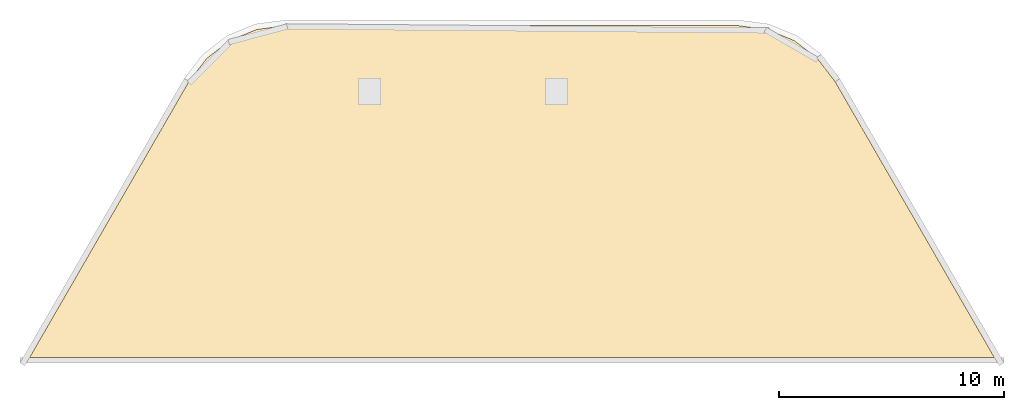
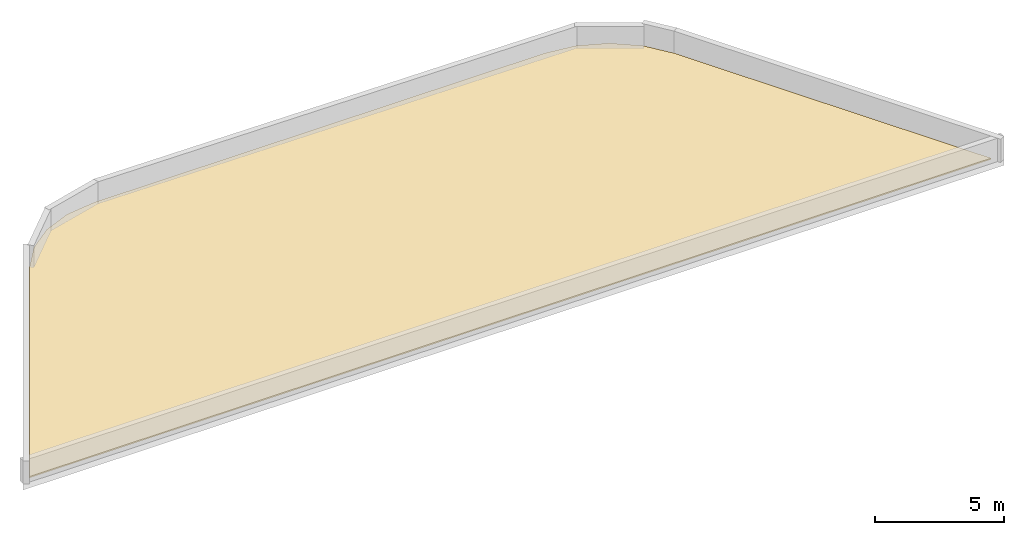
# One storey, part 2 of 2: 1 covering.
"""IFC4 building model written with IfcOpenShell, lengths in metres."""

import ifcopenshell
import ifcopenshell.guid

model = None  # the IFC model being written
_history = None  # IfcOwnerHistory: only IFC2X3 demands one
_inside = {}  # id of a spatial element -> (the spatial element, [elements in it])
_under = {}  # id of a project, library or spatial element -> (it, [spatial elements below it])
_declared = {}  # id of a project -> (the project, [libraries it declares])
_typed = {}  # id of a type object -> (the type object, [elements of that type])
_made_of = {}  # id of a material, layer set ... -> (it, [elements and type objects made of it])


def new_model(schema):
    """Start an empty IFC model of exactly this schema.

    Asked for "IFC4X3", IfcOpenShell would pick the latest addendum, in which some entities
    have other attributes; the version numbers below select the first issue.
    IFC2X3 requires an IfcOwnerHistory on every rooted entity: one is made here for all.
    """
    global model, _history
    if schema == "IFC4X3":
        model = ifcopenshell.file(schema_version=(4, 3, 0, 0))
    else:
        model = ifcopenshell.file(schema=schema)
    _inside.clear()
    _under.clear()
    _declared.clear()
    _typed.clear()
    _made_of.clear()
    _history = None
    if model.schema == "IFC2X3":
        org = make("IfcOrganization", Name="unknown")
        user = make(
            "IfcPersonAndOrganization",
            ThePerson=make("IfcPerson", FamilyName="unknown"),
            TheOrganization=org,
        )
        app = make(
            "IfcApplication",
            ApplicationDeveloper=org,
            Version="unknown",
            ApplicationFullName="unknown",
            ApplicationIdentifier="unknown",
        )
        _history = make(
            "IfcOwnerHistory",
            OwningUser=user,
            OwningApplication=app,
            ChangeAction="ADDED",
            CreationDate=0,
        )
    return model


def make(cls, **values):
    """One entity of the class cls with the attributes given. An attribute that is None is left unset."""
    return model.create_entity(
        cls, **{name: value for name, value in values.items() if value is not None}
    )


def rooted(cls, **values):
    """An entity with a GlobalId (a new one), such as an element, a storey or a relation."""
    return make(cls, GlobalId=ifcopenshell.guid.new(), OwnerHistory=_history, **values)


def si_unit(unit_type, name, prefix=None):
    """IfcSIUnit, for example si_unit("LENGTHUNIT", "METRE", prefix="MILLI")."""
    return make("IfcSIUnit", UnitType=unit_type, Prefix=prefix, Name=name)


def assignment(units):
    """IfcUnitAssignment: the units of a project."""
    return None if units is None else make("IfcUnitAssignment", Units=units)


def point(xyz):
    """IfcCartesianPoint."""
    return None if xyz is None else make("IfcCartesianPoint", Coordinates=xyz)


def direction(xyz):
    """IfcDirection."""
    return None if xyz is None else make("IfcDirection", DirectionRatios=xyz)


def frame(location, z_axis=None, x_axis=None):
    """IfcAxis2Placement3D, a coordinate frame: its origin and axes. An axis left out is left unset."""
    return make(
        "IfcAxis2Placement3D",
        Location=point(location),
        Axis=direction(z_axis),
        RefDirection=direction(x_axis),
    )


def origin():
    """The frame at (0, 0, 0) with its axes left unset."""
    return frame((0.0, 0.0, 0.0))


def place(relative_to, where):
    """IfcLocalPlacement: puts the frame where relative to a parent placement (None: the world)."""
    return make(
        "IfcLocalPlacement", PlacementRelTo=relative_to, RelativePlacement=where
    )


def context(
    kind, dimensions, precision=None, world=None, true_north=None, identifier=None
):
    """IfcGeometricRepresentationContext, for example the 3D "Model" context."""
    return make(
        "IfcGeometricRepresentationContext",
        ContextIdentifier=identifier,
        ContextType=kind,
        CoordinateSpaceDimension=dimensions,
        Precision=precision,
        WorldCoordinateSystem=world,
        TrueNorth=true_north,
    )


def subcontext(parent, identifier, kind, view, scale=None):
    """IfcGeometricRepresentationSubContext, for example "Body" below "Model"."""
    return make(
        "IfcGeometricRepresentationSubContext",
        ContextIdentifier=identifier,
        ContextType=kind,
        ParentContext=parent,
        TargetScale=scale,
        TargetView=view,
    )


def project(units=None, contexts=None):
    """IfcProject with its units and contexts."""
    return rooted(
        "IfcProject",
        Name="project",
        RepresentationContexts=contexts,
        UnitsInContext=assignment(units),
    )


def spatial(cls, under=None, at=None, **own):
    """A site, building, storey or space (cls), placed at a placement, below another one or the project."""
    s = rooted(cls, ObjectPlacement=at, **own)
    if under is not None:
        _under.setdefault(under.id(), (under, []))[1].append(s)
    return s


def polyline(points):
    """IfcPolyline through the points."""
    return make("IfcPolyline", Points=[point(p) for p in points])


def outline(outer, holes=None, kind="AREA"):
    """IfcArbitraryClosedProfileDef: a profile drawn as a closed curve; with holes, ...WithVoids."""
    if holes is None:
        return make("IfcArbitraryClosedProfileDef", ProfileType=kind, OuterCurve=outer)
    return make(
        "IfcArbitraryProfileDefWithVoids",
        ProfileType=kind,
        OuterCurve=outer,
        InnerCurves=holes,
    )


def extrude(swept, where, along, depth):
    """IfcExtrudedAreaSolid: the profile swept, set in the frame where, extruded along a direction by depth."""
    return make(
        "IfcExtrudedAreaSolid",
        SweptArea=swept,
        Position=where,
        ExtrudedDirection=direction(along),
        Depth=depth,
    )


def shape(context_of_items, identifier, shape_type, items):
    """IfcShapeRepresentation: the items that make up one representation, for example the "Body"."""
    return make(
        "IfcShapeRepresentation",
        ContextOfItems=context_of_items,
        RepresentationIdentifier=identifier,
        RepresentationType=shape_type,
        Items=items,
    )


def material(Name=None, Category=None):
    """IfcMaterial."""
    return make("IfcMaterial", Name=Name, Category=Category)


def layer(
    of_material, thickness, ventilated=None, Name=None, Category=None, Priority=None
):
    """IfcMaterialLayer: one layer of a wall or slab, of a material (None: an air gap)."""
    return make(
        "IfcMaterialLayer",
        Material=of_material,
        LayerThickness=thickness,
        IsVentilated=ventilated,
        Name=Name,
        Category=Category,
        Priority=Priority,
    )


def layer_set(layers, Name=None):
    """IfcMaterialLayerSet."""
    return make("IfcMaterialLayerSet", MaterialLayers=layers, LayerSetName=Name)


def made_of(thing, what):
    """Note that an element or type object is made of a material, layer set ...; save() writes the relation."""
    if what is not None:
        _made_of.setdefault(what.id(), (what, []))[1].append(thing)
    return thing


def type_object(cls, material=None, **own):
    """A type object (cls), such as IfcWallType, which elements share."""
    return made_of(rooted(cls, **own), material)


def element(
    cls,
    number,
    at=None,
    inside=None,
    cuts=None,
    type_object=None,
    material=None,
    context=None,
    identifier="Body",
    shape_type=None,
    held_by="IfcProductDefinitionShape",
    body=None,
    shapes=None,
    **own,
):
    """One element of the class cls, such as IfcWall. Its Tag is "e" and its number.

    at: its placement. inside: the storey or other place that contains it. cuts: it is an
    opening in that element (IfcRelVoidsElement). A single representation is given by context,
    identifier, shape_type and body (its items); several are given by shapes. held_by: the class
    of the entity that holds the representations. save() writes the other relations.
    """
    e = rooted(cls, Tag="e%d" % number, ObjectPlacement=at, **own)
    if body is not None:
        shapes = [shape(context, identifier, shape_type, body)]
    if shapes is not None:
        e.Representation = make(held_by, Representations=shapes)
    if inside is not None:
        _inside.setdefault(inside.id(), (inside, []))[1].append(e)
    if cuts is not None:
        rooted(
            "IfcRelVoidsElement", RelatingBuildingElement=cuts, RelatedOpeningElement=e
        )
    if type_object is not None:
        _typed.setdefault(type_object.id(), (type_object, []))[1].append(e)
    return made_of(e, material)


def aggregate(whole, parts):
    """IfcRelAggregates: a whole, such as a stair, and the parts it consists of."""
    return rooted("IfcRelAggregates", RelatingObject=whole, RelatedObjects=parts)


def save(model, path):
    """Write the relations noted so far, then the file.

    IfcRelAggregates (storeys below a building ...), IfcRelContainedInSpatialStructure (elements
    in a storey), IfcRelDefinesByType, IfcRelAssociatesMaterial and IfcRelDeclares: one each for
    every whole, place, type object, material and project.
    """
    for whole, parts in _under.values():
        aggregate(whole, parts)
    for where, things in _inside.values():
        rooted(
            "IfcRelContainedInSpatialStructure",
            RelatedElements=things,
            RelatingStructure=where,
        )
    for kind, things in _typed.values():
        rooted("IfcRelDefinesByType", RelatedObjects=things, RelatingType=kind)
    for what, things in _made_of.values():
        rooted("IfcRelAssociatesMaterial", RelatedObjects=things, RelatingMaterial=what)
    for by, libraries in _declared.values():
        rooted("IfcRelDeclares", RelatingContext=by, RelatedDefinitions=libraries)
    model.write(path)


model = new_model("IFC4")

# Units and contexts
model_context = context("Model", 3, precision=1e-05, world=origin(), true_north=direction((0.0, 1.0)))
body_context = subcontext(model_context, "Body", "Model", "MODEL_VIEW")
ifc_project = project(units=[si_unit("LENGTHUNIT", "METRE"), si_unit("AREAUNIT", "SQUARE_METRE"), si_unit("VOLUMEUNIT", "CUBIC_METRE"), si_unit("PLANEANGLEUNIT", "RADIAN"), si_unit("MASSUNIT", "GRAM", prefix="KILO")], contexts=[model_context])

# Site, building, storey
site_placement = place(None, origin())
site = spatial("IfcSite", under=ifc_project, at=site_placement, CompositionType="ELEMENT")
building_placement = place(site_placement, origin())
building = spatial("IfcBuilding", under=site, at=building_placement, Name="Nakaniwa Court", CompositionType="ELEMENT")
storey_placement = place(building_placement, frame((0.0, 0.0, 297.60009765625)))
storey = spatial("IfcBuildingStorey", under=building, at=storey_placement, Name="ROOF", CompositionType="ELEMENT", Elevation=297.60009765625)

# Covering
ifc_material_1 = material(Name="Charcoal ceramic paver")
ifc_layer_1 = layer(ifc_material_1, 0.025, Name="Ceramic paver")
ifc_material_2 = material(Name="Cement sand mortar")
ifc_layer_2 = layer(ifc_material_2, 0.025, Name="Mortar bed")
ifc_material_3 = material(Name="Drainage protection mat")
ifc_layer_3 = layer(ifc_material_3, 0.01, Name="Protection and drainage layer")
ifc_layer_set = layer_set([ifc_layer_1, ifc_layer_2, ifc_layer_3], Name="Charcoal ceramic paver roof covering on insulation")
covering_type = type_object("IfcCoveringType", Name="Black ceramic roof covering", PredefinedType="ROOFING", material=ifc_layer_set)
covering_placement = place(storey_placement, origin())
element("IfcCovering", 1, at=covering_placement, inside=storey, type_object=covering_type, Name="C07 roof covering, north bar", PredefinedType="ROOFING", context=body_context, shape_type="SweptSolid", body=[
    extrude(outline(polyline([(65.630126953125, 99.910888671875), (66.426513671875, 100.94873046875), (67.451171875, 101.73486328125), (68.644775390625, 102.229248046875), (69.941650390625, 102.39990234375), (90.058349609375, 102.39990234375), (91.355224609375, 102.229248046875), (92.548828125, 101.73486328125), (93.573486328125, 100.94873046875), (94.369873046875, 99.910888671875), (101.448486328125, 87.64990234375), (58.551513671875, 87.64990234375), (65.630126953125, 99.910888671875)])), origin(), (0.0, 0.0, 1.0), 0.059814453125),
])

save(model, "model.ifc")
